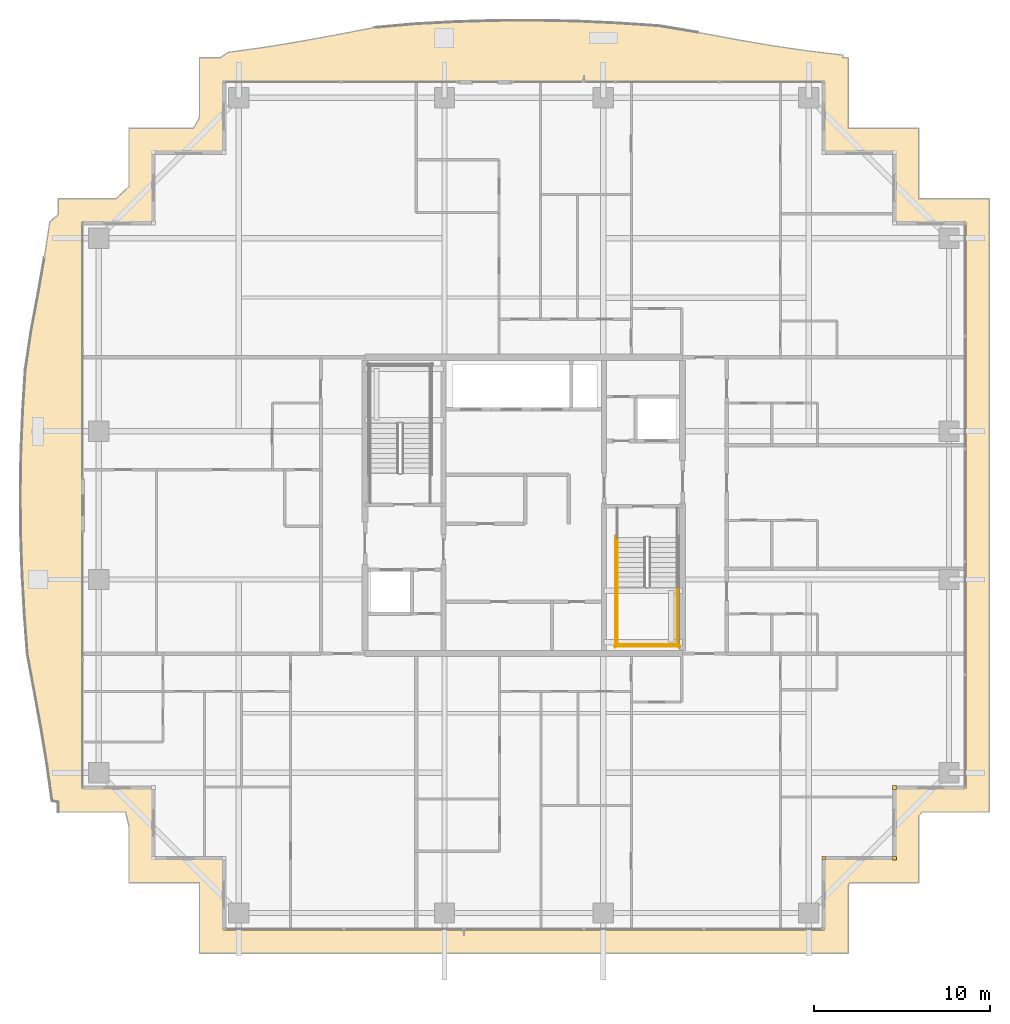
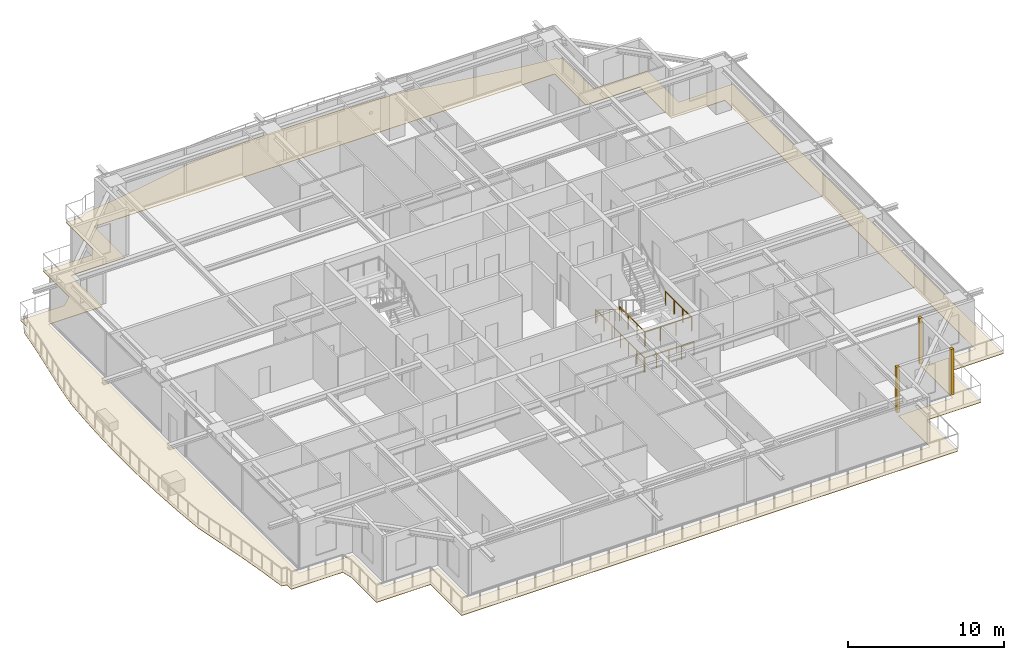
# One storey, part 37 of 40: 6 railings, 4 coverings.
"""IFC4 building model written with IfcOpenShell, lengths in metres."""

from ifc_helpers import new_model, si_unit, direction, frame, origin, origin_2d, place, context, subcontext, project, spatial, polyline, rectangle, circle, outline, extrude, source, transform, mapped, material, layer, layer_set, type_object, element, save


model = new_model("IFC4")

# Units and contexts
model_context = context("Model", 3, precision=1e-05, world=origin(), true_north=direction((0.0, 1.0)))
body_context = subcontext(model_context, "Body", "Model", "MODEL_VIEW")
ifc_project = project(units=[si_unit("LENGTHUNIT", "METRE"), si_unit("AREAUNIT", "SQUARE_METRE"), si_unit("VOLUMEUNIT", "CUBIC_METRE"), si_unit("PLANEANGLEUNIT", "RADIAN"), si_unit("MASSUNIT", "GRAM", prefix="KILO")], contexts=[model_context])

# Site, building, storey
site_placement = place(None, origin())
site = spatial("IfcSite", under=ifc_project, at=site_placement, CompositionType="ELEMENT")
building_placement = place(site_placement, origin())
building = spatial("IfcBuilding", under=site, at=building_placement, Name="Serunith Strait Residences", CompositionType="ELEMENT")
storey_placement = place(building_placement, frame((0.0, 0.0, 252.800048828125)))
storey = spatial("IfcBuildingStorey", under=building, at=storey_placement, Name="L63", CompositionType="ELEMENT", Elevation=252.800048828125)

# Covering
ifc_material_1 = material(Name="Golden Teak Exterior Timber Boarding", Category="wood")
ifc_layer_1 = layer(ifc_material_1, 0.034912109375, Name="Golden Teak Exterior Timber Boarding")
ifc_layer_set_1 = layer_set([ifc_layer_1], Name="Golden Teak Exterior Timber Boarding")
covering_type_1 = type_object("IfcCoveringType", Name="COV-TEAK-SOFFIT", PredefinedType="CEILING", material=ifc_layer_set_1)
covering_placement = place(storey_placement, frame((0.0, 0.0, -0.324951171875)))
element("IfcCovering", 1, at=covering_placement, inside=storey, type_object=covering_type_1, Name="L63 Golden-Teak Balcony Soffit Lining", PredefinedType="CEILING", context=body_context, shape_type="SweptSolid", body=[
    extrude(outline(polyline([(6.02001953125, 7.820068359375), (6.02001953125, 8.386474609375), (5.66552734375, 8.4462890625), (5.383056640625, 10.4755859375), (5.046630859375, 12.5263671875), (4.666748046875, 14.615234375), (4.267333984375, 16.76025390625), (4.095947265625, 19.020263671875), (3.967529296875, 21.314208984375), (3.888916015625, 23.6318359375), (3.867919921875, 25.9609375), (3.90673828125, 28.286865234375), (4.00244140625, 30.595458984375), (4.14599609375, 32.87548828125), (4.47119140625, 35.068115234375), (4.865478515625, 37.177490234375), (5.225830078125, 39.239990234375), (5.535400390625, 41.27392578125), (6.02001953125, 41.681884765625), (6.02001953125, 42.580078125), (9.281005859375, 42.580078125), (10.02001953125, 43.266845703125), (10.02001953125, 46.580078125), (13.684326171875, 46.580078125), (14.02001953125, 47.18701171875), (14.02001953125, 50.580078125), (15.212890625, 50.580078125), (15.63916015625, 50.876220703125), (17.6650390625, 51.155029296875), (19.710693359375, 51.4912109375), (21.794677734375, 51.87548828125), (23.9365234375, 52.282958984375), (26.1943359375, 52.486083984375), (28.498046875, 52.609130859375), (30.82568359375, 52.678955078125), (33.16357421875, 52.688720703125), (35.49609375, 52.63720703125), (37.80908203125, 52.530029296875), (40.090576171875, 52.376708984375), (42.267822265625, 52.010498046875), (44.369384765625, 51.614990234375), (46.426025390625, 51.26123046875), (48.45703125, 50.962890625), (50.47802734375, 50.721923828125), (50.476806640625, 50.580078125), (50.780029296875, 50.580078125), (50.780029296875, 46.580078125), (54.780029296875, 46.580078125), (54.780029296875, 42.580078125), (58.780029296875, 42.580078125), (58.780029296875, 7.820068359375), (54.97509765625, 7.820068359375), (54.780029296875, 7.597900390625), (54.780029296875, 3.820068359375), (50.881103515625, 3.820068359375), (50.780029296875, 3.665283203125), (50.780029296875, -0.179931640625), (14.02001953125, -0.179931640625), (14.02001953125, 3.820068359375), (10.02001953125, 3.820068359375), (10.02001953125, 7.029052734375), (9.827880859375, 7.820068359375), (6.02001953125, 7.820068359375)]), holes=[polyline([(49.455078125, 1.14501953125), (49.455078125, 5.14501953125), (53.455078125, 5.14501953125), (53.455078125, 9.14501953125), (57.455078125, 9.14501953125), (57.455078125, 41.2548828125), (53.455078125, 41.2548828125), (53.455078125, 45.2548828125), (49.455078125, 45.2548828125), (49.455078125, 49.2548828125), (15.344970703125, 49.2548828125), (15.344970703125, 45.2548828125), (11.344970703125, 45.2548828125), (11.344970703125, 41.2548828125), (7.344970703125, 41.2548828125), (7.344970703125, 9.14501953125), (11.344970703125, 9.14501953125), (11.344970703125, 5.14501953125), (15.344970703125, 5.14501953125), (15.344970703125, 1.14501953125), (49.455078125, 1.14501953125)])]), origin(), (0.0, 0.0, 1.0), 0.034912109375),
])

# Railings
ifc_material_2 = material(Name="Brushed stainless steel 316L", Category="steel")
railing_type_1 = type_object("IfcRailingType", Name="RLG-STAIR-GUARD", PredefinedType="BALUSTRADE", material=ifc_material_2)
for number, where, name in (
    (2, (37.699951171875, 20.570068359375, 1.925048828125), "L63 ST-2 stair guard 3"),
    (3, (41.10009765625, 20.570068359375, 1.925048828125), "L63 ST-2 stair guard 4"),
):
    element("IfcRailing", number, at=place(storey_placement, frame(where)), inside=storey, type_object=railing_type_1, Name=name, PredefinedType="BALUSTRADE", context=body_context, shape_type="SweptSolid", body=[
        extrude(circle(Radius=0.02392578125, at=origin_2d()), frame((0.0, -0.001953125, 1.076171875), z_axis=(0.0, -1.0, 0.0), x_axis=(1.0, 0.0, 0.0)), (0.0, 0.0, 1.0), 3.316162109375),
        extrude(circle(Radius=0.02099609375, at=origin_2d()), origin(), (0.0, 0.0, 1.0), 1.050048828125),
        extrude(circle(Radius=0.02099609375, at=origin_2d()), frame((0.0, -1.106689453125, 0.0)), (0.0, 0.0, 1.0), 1.050048828125),
        extrude(circle(Radius=0.02099609375, at=origin_2d()), frame((0.0, -2.21337890625, 0.0)), (0.0, 0.0, 1.0), 1.050048828125),
        extrude(circle(Radius=0.02099609375, at=origin_2d()), frame((0.0, -3.320068359375, 0.0)), (0.0, 0.0, 1.0), 1.050048828125),
    ])
railing_1_placement = place(storey_placement, frame((37.64990234375, 17.300048828125, 1.925048828125)))
element("IfcRailing", 4, at=railing_1_placement, inside=storey, type_object=railing_type_1, Name="L63 ST-2 stair guard 5", PredefinedType="BALUSTRADE", context=body_context, shape_type="SweptSolid", body=[
    extrude(circle(Radius=0.02392578125, at=origin_2d()), frame((0.001953125, 0.0, 1.076171875), z_axis=(1.0, 0.0, 0.0), x_axis=(0.0, 1.0, 0.0)), (0.0, 0.0, 1.0), 3.49609375),
    extrude(circle(Radius=0.02099609375, at=origin_2d()), origin(), (0.0, 0.0, 1.0), 1.050048828125),
    extrude(circle(Radius=0.02099609375, at=origin_2d()), frame((1.166748046875, 0.0, 0.0)), (0.0, 0.0, 1.0), 1.050048828125),
    extrude(circle(Radius=0.02099609375, at=origin_2d()), frame((2.333251953125, 0.0, 0.0)), (0.0, 0.0, 1.0), 1.050048828125),
    extrude(circle(Radius=0.02099609375, at=origin_2d()), frame((3.5, 0.0, 0.0)), (0.0, 0.0, 1.0), 1.050048828125),
])
railing_2_placement = place(storey_placement, frame((37.60009765625, 23.469970703125, 0.0)))
element("IfcRailing", 5, at=railing_2_placement, inside=storey, type_object=railing_type_1, Name="L63 ST-2 stair guard 10", PredefinedType="BALUSTRADE", context=body_context, shape_type="SweptSolid", body=[
    extrude(circle(Radius=0.02392578125, at=origin_2d()), frame((0.0, -0.001953125, 1.076171875), z_axis=(0.0, -1.0, 0.0), x_axis=(1.0, 0.0, 0.0)), (0.0, 0.0, 1.0), 6.316162109375),
    extrude(circle(Radius=0.02099609375, at=origin_2d()), origin(), (0.0, 0.0, 1.0), 1.050048828125),
    extrude(circle(Radius=0.02099609375, at=origin_2d()), frame((0.0, -1.05322265625, 0.0)), (0.0, 0.0, 1.0), 1.050048828125),
    extrude(circle(Radius=0.02099609375, at=origin_2d()), frame((0.0, -2.106689453125, 0.0)), (0.0, 0.0, 1.0), 1.050048828125),
    extrude(circle(Radius=0.02099609375, at=origin_2d()), frame((0.0, -3.16015625, 0.0)), (0.0, 0.0, 1.0), 1.050048828125),
    extrude(circle(Radius=0.02099609375, at=origin_2d()), frame((0.0, -4.21337890625, 0.0)), (0.0, 0.0, 1.0), 1.050048828125),
    extrude(circle(Radius=0.02099609375, at=origin_2d()), frame((0.0, -5.2666015625, 0.0)), (0.0, 0.0, 1.0), 1.050048828125),
    extrude(circle(Radius=0.02099609375, at=origin_2d()), frame((0.0, -6.320068359375, 0.0)), (0.0, 0.0, 1.0), 1.050048828125),
])
railing_3_placement = place(storey_placement, frame((37.550048828125, 17.199951171875, 0.0)))
element("IfcRailing", 6, at=railing_3_placement, inside=storey, type_object=railing_type_1, Name="L63 ST-2 stair guard 12", PredefinedType="BALUSTRADE", context=body_context, shape_type="SweptSolid", body=[
    extrude(circle(Radius=0.02392578125, at=origin_2d()), frame((0.001953125, 0.0, 1.076171875), z_axis=(1.0, 0.0, 0.0), x_axis=(0.0, 1.0, 0.0)), (0.0, 0.0, 1.0), 3.696044921875),
    extrude(circle(Radius=0.02099609375, at=origin_2d()), origin(), (0.0, 0.0, 1.0), 1.050048828125),
    extrude(circle(Radius=0.02099609375, at=origin_2d()), frame((0.925048828125, 0.0, 0.0)), (0.0, 0.0, 1.0), 1.050048828125),
    extrude(circle(Radius=0.02099609375, at=origin_2d()), frame((1.85009765625, 0.0, 0.0)), (0.0, 0.0, 1.0), 1.050048828125),
    extrude(circle(Radius=0.02099609375, at=origin_2d()), frame((2.77490234375, 0.0, 0.0)), (0.0, 0.0, 1.0), 1.050048828125),
    extrude(circle(Radius=0.02099609375, at=origin_2d()), frame((3.699951171875, 0.0, 0.0)), (0.0, 0.0, 1.0), 1.050048828125),
])
railing_type_2 = type_object("IfcRailingType", Name="RLG-STAIR-HR", PredefinedType="HANDRAIL", material=ifc_material_2)
railing_4_placement = place(storey_placement, frame((37.699951171875, 23.3701171875, 0.175048828125)))
element("IfcRailing", 7, at=railing_4_placement, inside=storey, type_object=railing_type_2, Name="L63 ST-2 stair handrail 1", PredefinedType="HANDRAIL", context=body_context, shape_type="SweptSolid", body=[
    extrude(circle(Radius=0.02392578125, at=origin_2d()), frame((0.0, -0.001708984375, 0.876953125), z_axis=(0.0, -0.847393994688, 0.530964610654), x_axis=(1.0, 0.0, 0.0)), (0.0, 0.0, 1.0), 3.630859375),
    extrude(circle(Radius=0.02099609375, at=origin_2d()), origin(), (0.0, 0.0, 1.0), 0.849853515625),
    extrude(circle(Radius=0.02099609375, at=origin_2d()), frame((0.0, -0.77001953125, 0.482421875)), (0.0, 0.0, 1.0), 0.849853515625),
    extrude(circle(Radius=0.02099609375, at=origin_2d()), frame((0.0, -1.5400390625, 0.96484375)), (0.0, 0.0, 1.0), 0.849853515625),
    extrude(circle(Radius=0.02099609375, at=origin_2d()), frame((0.0, -2.31005859375, 1.447509765625)), (0.0, 0.0, 1.0), 0.849853515625),
    extrude(circle(Radius=0.02099609375, at=origin_2d()), frame((0.0, -3.080078125, 1.929931640625)), (0.0, 0.0, 1.0), 0.849853515625),
])

# Coverings
ifc_material_3 = material(Name="Pale-Champagne Anodised Aluminium", Category="aluminium")
ifc_layer_2 = layer(ifc_material_3, 0.219970703125, Name="Pale-Champagne Anodised Aluminium")
ifc_layer_set_2 = layer_set([ifc_layer_2], Name="Pale-Champagne Anodised Aluminium")
covering_type_2 = type_object("IfcCoveringType", Name="COV-CORN-TRIM", PredefinedType="CLADDING", material=ifc_layer_set_2)
shared_shape = source(origin(), body_context, "Body", "SweptSolid", [
    extrude(rectangle(XDim=0.221923828125, YDim=0.221923828125, at=origin_2d()), origin(), (0.0, 0.0, 1.0), 3.574951171875),
])
for number, where, z_axis, x_axis, name in (
    (8, (49.39990234375, 5.199951171875, 0.0), (0.0, 0.0, 1.0), (1.0, 0.0, 0.0), "L63 Girih Serrated Corner Trim Post 02"),
    (9, (53.39990234375, 5.199951171875, 0.0), (0.0, 0.0, 1.0), (1.0, 0.0, 0.0), "L63 Girih Serrated Corner Trim Post 03"),
    (10, (53.39990234375, 9.199951171875, 0.0), (0.0, 0.0, 1.0), (1.0, 0.0, 0.0), "L63 Girih Serrated Corner Trim Post 04"),
):
    element("IfcCovering", number, at=place(storey_placement, frame(where, z_axis=z_axis, x_axis=x_axis)), inside=storey, type_object=covering_type_2, Name=name, PredefinedType="CLADDING", context=body_context, shape_type="MappedRepresentation", body=[
        mapped(shared_shape, transform((0.0, 0.0, 0.0), scale=1.0)),
    ])

save(model, "model.ifc")
